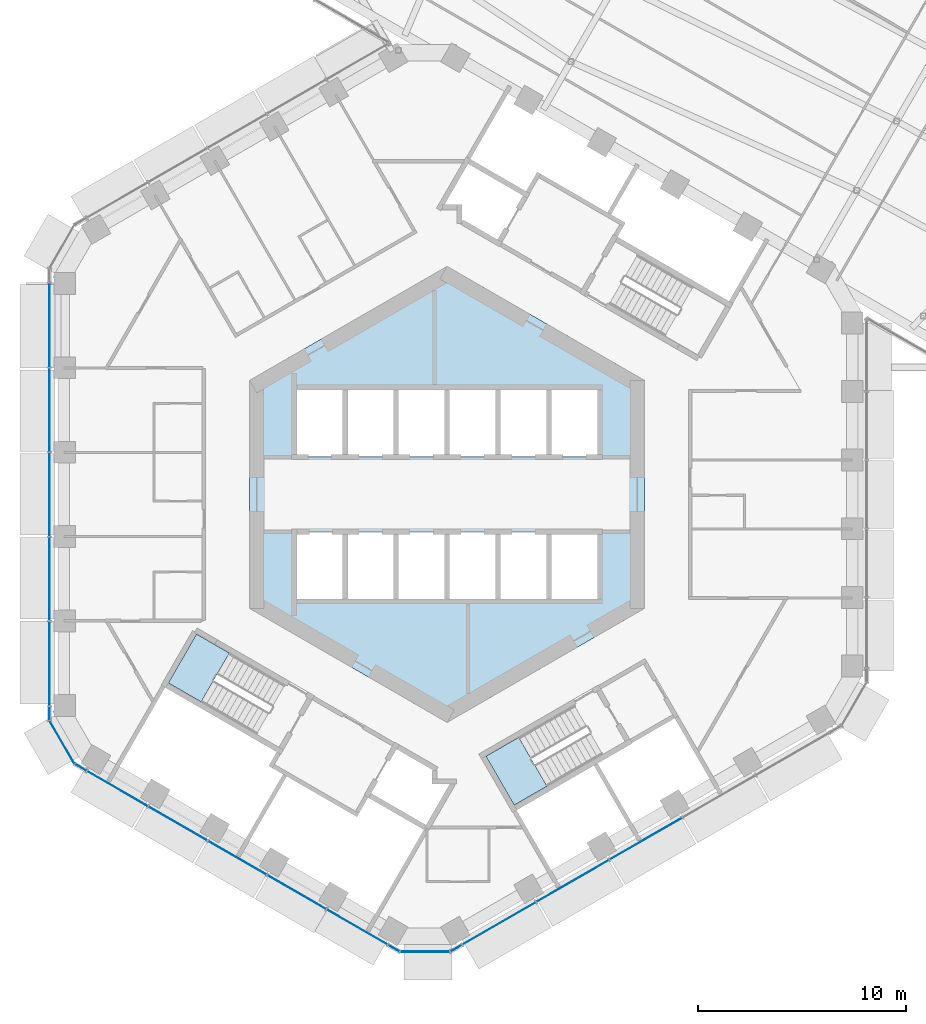
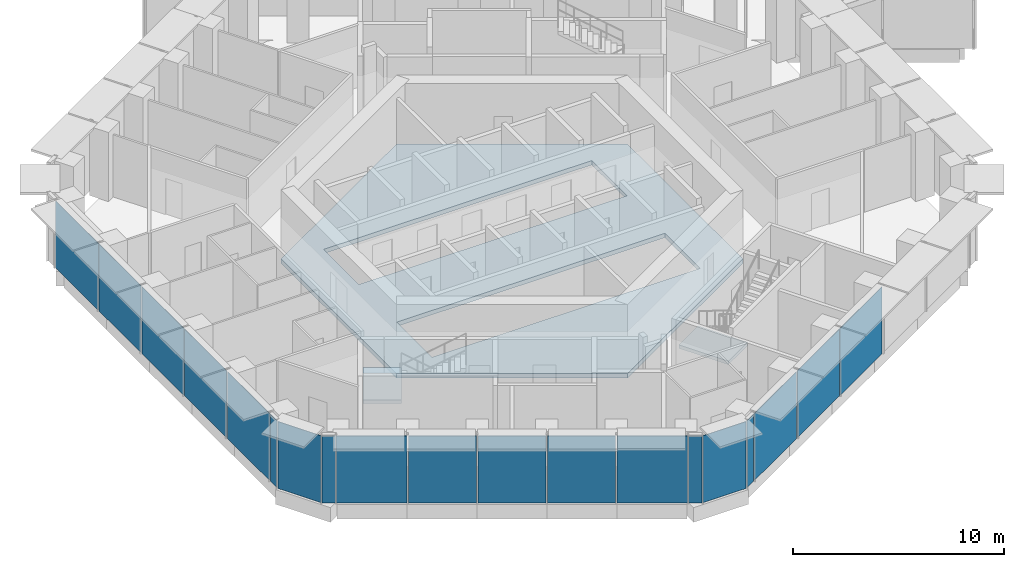
# One storey, part 12 of 28: 19 plates, 3 slabs, 7 elements without a shape of their own.
"""IFC4 building model written with IfcOpenShell, lengths in metres."""

from ifc_helpers import new_model, si_unit, direction, frame, origin, origin_2d, place, context, subcontext, project, spatial, polyline, rectangle, outline, extrude, material, layer, layer_set, type_object, element, aggregate, save


model = new_model("IFC4")

# Units and contexts
model_context = context("Model", 3, precision=1e-05, world=origin(), true_north=direction((0.0, 1.0)))
body_context = subcontext(model_context, "Body", "Model", "MODEL_VIEW")
ifc_project = project(units=[si_unit("LENGTHUNIT", "METRE"), si_unit("AREAUNIT", "SQUARE_METRE"), si_unit("VOLUMEUNIT", "CUBIC_METRE"), si_unit("PLANEANGLEUNIT", "RADIAN"), si_unit("MASSUNIT", "GRAM", prefix="KILO")], contexts=[model_context])

# Site, building, storey
site_placement = place(None, origin())
site = spatial("IfcSite", under=ifc_project, at=site_placement, CompositionType="ELEMENT")
building_placement = place(site_placement, origin())
building = spatial("IfcBuilding", under=site, at=building_placement, Name="Ayvan Gate Tower", CompositionType="ELEMENT")
storey_placement = place(building_placement, frame((0.0, 0.0, 143.89990234375)))
storey = spatial("IfcBuildingStorey", under=building, at=storey_placement, Name="L38", CompositionType="ELEMENT", Elevation=143.89990234375)

# Slab
ifc_material_1 = material(Name="Concrete C40/50", Category="concrete")
ifc_layer_1 = layer(ifc_material_1, 0.25)
ifc_layer_set_1 = layer_set([ifc_layer_1], Name="Concrete C40/50")
slab_type_1 = type_object("IfcSlabType", Name="SL-CORE-250", PredefinedType="FLOOR", material=ifc_layer_set_1)
slab_1_placement = place(storey_placement, frame((0.0, 0.0, -0.25)))
element("IfcSlab", 1, at=slab_1_placement, inside=storey, type_object=slab_type_1, Name="CS-L38", PredefinedType="FLOOR", context=body_context, shape_type="SweptSolid", body=[
    extrude(outline(polyline([(9.5, -5.48486328125), (0.0, -10.9697265625), (-9.5, -5.48486328125), (-9.5, 5.48486328125), (0.0, 10.9697265625), (9.5, 5.48486328125), (9.5, -5.48486328125)]), holes=[polyline([(-7.35009765625, -1.800048828125), (-7.35009765625, -5.14990234375), (7.35009765625, -5.14990234375), (7.35009765625, -1.800048828125), (-7.35009765625, -1.800048828125)]), polyline([(-7.35009765625, 5.14990234375), (-7.35009765625, 1.800048828125), (7.35009765625, 1.800048828125), (7.35009765625, 5.14990234375), (-7.35009765625, 5.14990234375)])]), origin(), (0.0, 0.0, 1.0), 0.25),
])

# Stair, slab
stair_type = type_object("IfcStairType", Name="ST-EXIT", PredefinedType="HALF_TURN_STAIR", material=ifc_material_1)
stair_1_placement = place(storey_placement, origin())
stair_1 = element("IfcStair", 2, at=stair_1_placement, inside=storey, type_object=stair_type, Name="L38 Exit Stair S2", PredefinedType="HALF_TURN_STAIR")
ifc_layer_2 = layer(ifc_material_1, 0.199951171875)
ifc_layer_set_2 = layer_set([ifc_layer_2], Name="Concrete C40/50")
slab_type_2 = type_object("IfcSlabType", Name="SL-LANDING-200", PredefinedType="LANDING", material=ifc_layer_set_2)
slab_2_placement = place(storey_placement, frame((0.0, 0.0, 1.800048828125)))
slab_2 = element("IfcSlab", 3, at=slab_2_placement, type_object=slab_type_2, Name="STS2 landing 1", PredefinedType="LANDING", context=body_context, shape_type="SweptSolid", body=[
    extrude(outline(polyline([(-10.473388671875, -7.630615234375), (-12.049560546875, -6.720458984375), (-13.404541015625, -9.0673828125), (-11.828369140625, -9.9775390625), (-10.473388671875, -7.630615234375)])), origin(), (0.0, 0.0, 1.0), 0.199951171875),
])
aggregate(stair_1, [slab_2])

stair_2_placement = place(storey_placement, origin())
stair_2 = element("IfcStair", 4, at=stair_2_placement, inside=storey, type_object=stair_type, Name="L38 Exit Stair S3", PredefinedType="HALF_TURN_STAIR")
slab_3_placement = place(storey_placement, frame((0.0, 0.0, 1.800048828125)))
slab_3 = element("IfcSlab", 5, at=slab_3_placement, type_object=slab_type_2, Name="STS3 landing 1", PredefinedType="LANDING", context=body_context, shape_type="SweptSolid", body=[
    extrude(outline(polyline([(3.449951171875, -11.685546875), (1.873779296875, -12.595458984375), (3.228759765625, -14.9423828125), (4.804931640625, -14.032470703125), (3.449951171875, -11.685546875)])), origin(), (0.0, 0.0, 1.0), 0.199951171875),
])
aggregate(stair_2, [slab_3])

# Curtain wall, plates
ifc_material_2 = material(Name="Bronze anodised aluminium", Category="aluminium")
ifc_layer_3 = layer(ifc_material_2, 0.199951171875)
ifc_layer_set_3 = layer_set([ifc_layer_3], Name="Bronze anodised aluminium")
curtain_wall_type_1 = type_object("IfcCurtainWallType", Name="Stick curtain wall CW-1", PredefinedType="NOTDEFINED", material=ifc_layer_set_3)
curtain_wall_1_placement = place(storey_placement, origin())
curtain_wall_1 = element("IfcCurtainWall", 6, at=curtain_wall_1_placement, inside=storey, type_object=curtain_wall_type_1, Name="Stick curtain wall CW-1 L38", PredefinedType="NOTDEFINED")
ifc_material_3 = material(Name="Clear low-iron laminated glass", Category="glass")
ifc_layer_4 = layer(ifc_material_3, 0.028076171875)
ifc_layer_set_4 = layer_set([ifc_layer_4], Name="Clear low-iron laminated glass")
plate_type_1 = type_object("IfcPlateType", Name="Stick curtain wall CW-1 glass panel", PredefinedType="CURTAIN_PANEL", material=ifc_layer_set_4)
plate_1_placement = place(storey_placement, frame((-19.124267578125, 8.15673828125, 0.000244140625), z_axis=(0.0, 0.0, 1.0), x_axis=(0.0, -1.0, 0.0)))
plate_1 = element("IfcPlate", 7, at=plate_1_placement, type_object=plate_type_1, Name="CW-1 glass panel 1", PredefinedType="CURTAIN_PANEL", context=body_context, shape_type="SweptSolid", body=[
    extrude(rectangle(XDim=4.072021484375, YDim=0.028076171875, at=origin_2d()), origin(), (0.0, 0.0, 1.0), 3.8798828125),
])
plate_2_placement = place(storey_placement, frame((-19.124267578125, 4.060302734375, 0.000244140625), z_axis=(0.0, 0.0, 1.0), x_axis=(0.0, -1.0, 0.0)))
plate_2 = element("IfcPlate", 8, at=plate_2_placement, type_object=plate_type_1, Name="CW-1 glass panel 2", PredefinedType="CURTAIN_PANEL", context=body_context, shape_type="SweptSolid", body=[
    extrude(rectangle(XDim=4.0009765625, YDim=0.028076171875, at=origin_2d()), origin(), (0.0, 0.0, 1.0), 3.8798828125),
])
plate_3_placement = place(storey_placement, frame((-19.124267578125, -0.000244140625, 0.000244140625), z_axis=(0.0, 0.0, 1.0), x_axis=(0.0, -1.0, 0.0)))
plate_3 = element("IfcPlate", 9, at=plate_3_placement, type_object=plate_type_1, Name="CW-1 glass panel 3", PredefinedType="CURTAIN_PANEL", context=body_context, shape_type="SweptSolid", body=[
    extrude(rectangle(XDim=4.0, YDim=0.028076171875, at=origin_2d()), origin(), (0.0, 0.0, 1.0), 3.8798828125),
])
plate_4_placement = place(storey_placement, frame((-19.124267578125, -4.06005859375, 0.000244140625), z_axis=(0.0, 0.0, 1.0), x_axis=(0.0, -1.0, 0.0)))
plate_4 = element("IfcPlate", 10, at=plate_4_placement, type_object=plate_type_1, Name="CW-1 glass panel 4", PredefinedType="CURTAIN_PANEL", context=body_context, shape_type="SweptSolid", body=[
    extrude(rectangle(XDim=4.0, YDim=0.028076171875, at=origin_2d()), origin(), (0.0, 0.0, 1.0), 3.8798828125),
])
plate_5_placement = place(storey_placement, frame((-19.124267578125, -8.156494140625, 0.000244140625), z_axis=(0.0, 0.0, 1.0), x_axis=(0.0, -1.0, 0.0)))
plate_5 = element("IfcPlate", 11, at=plate_5_placement, type_object=plate_type_1, Name="CW-1 glass panel 5", PredefinedType="CURTAIN_PANEL", context=body_context, shape_type="SweptSolid", body=[
    extrude(rectangle(XDim=4.07275390625, YDim=0.028076171875, at=origin_2d()), origin(), (0.0, 0.0, 1.0), 3.8798828125),
])
aggregate(curtain_wall_1, [plate_1, plate_2, plate_3, plate_4, plate_5])

curtain_wall_2_placement = place(storey_placement, origin())
curtain_wall_2 = element("IfcCurtainWall", 12, at=curtain_wall_2_placement, inside=storey, type_object=curtain_wall_type_1, Name="Stick curtain wall CW-1 L38", PredefinedType="NOTDEFINED")
plate_6_placement = place(storey_placement, frame((-15.86767578125, -14.147216796875, 0.000244140625), z_axis=(0.0, 0.0, 1.0), x_axis=(0.866025403784, -0.5, 0.0)))
plate_6 = element("IfcPlate", 13, at=plate_6_placement, type_object=plate_type_1, Name="CW-1 glass panel 1", PredefinedType="CURTAIN_PANEL", context=body_context, shape_type="SweptSolid", body=[
    extrude(rectangle(XDim=3.373046875, YDim=0.028076171875, at=origin_2d()), origin(), (0.0, 0.0, 1.0), 3.8798828125),
])
plate_7_placement = place(storey_placement, frame((-12.95166015625, -15.83056640625, 0.000244140625), z_axis=(0.0, 0.0, 1.0), x_axis=(0.866025403784, -0.5, 0.0)))
plate_7 = element("IfcPlate", 14, at=plate_7_placement, type_object=plate_type_1, Name="CW-1 glass panel 2", PredefinedType="CURTAIN_PANEL", context=body_context, shape_type="SweptSolid", body=[
    extrude(rectangle(XDim=3.240966796875, YDim=0.028076171875, at=origin_2d()), origin(), (0.0, 0.0, 1.0), 3.8798828125),
])
plate_8_placement = place(storey_placement, frame((-10.093017578125, -17.481201171875, 0.000244140625), z_axis=(0.0, 0.0, 1.0), x_axis=(0.866025403784, -0.5, 0.0)))
plate_8 = element("IfcPlate", 15, at=plate_8_placement, type_object=plate_type_1, Name="CW-1 glass panel 3", PredefinedType="CURTAIN_PANEL", context=body_context, shape_type="SweptSolid", body=[
    extrude(rectangle(XDim=3.240966796875, YDim=0.028076171875, at=origin_2d()), origin(), (0.0, 0.0, 1.0), 3.8798828125),
])
plate_9_placement = place(storey_placement, frame((-7.234130859375, -19.131591796875, 0.000244140625), z_axis=(0.0, 0.0, 1.0), x_axis=(0.866025403784, -0.5, 0.0)))
plate_9 = element("IfcPlate", 16, at=plate_9_placement, type_object=plate_type_1, Name="CW-1 glass panel 4", PredefinedType="CURTAIN_PANEL", context=body_context, shape_type="SweptSolid", body=[
    extrude(rectangle(XDim=3.240966796875, YDim=0.028076171875, at=origin_2d()), origin(), (0.0, 0.0, 1.0), 3.8798828125),
])
plate_10_placement = place(storey_placement, frame((-4.318115234375, -20.815185546875, 0.000244140625), z_axis=(0.0, 0.0, 1.0), x_axis=(0.866025403784, -0.5, 0.0)))
plate_10 = element("IfcPlate", 17, at=plate_10_placement, type_object=plate_type_1, Name="CW-1 glass panel 5", PredefinedType="CURTAIN_PANEL", context=body_context, shape_type="SweptSolid", body=[
    extrude(rectangle(XDim=3.373291015625, YDim=0.028076171875, at=origin_2d()), origin(), (0.0, 0.0, 1.0), 3.8798828125),
])
aggregate(curtain_wall_2, [plate_6, plate_7, plate_8, plate_9, plate_10])

curtain_wall_3_placement = place(storey_placement, origin())
curtain_wall_3 = element("IfcCurtainWall", 18, at=curtain_wall_3_placement, inside=storey, type_object=curtain_wall_type_1, Name="Stick curtain wall CW-1 L38", PredefinedType="NOTDEFINED")
plate_11_placement = place(storey_placement, frame((2.498046875, -20.640625, 0.000244140625), z_axis=(0.0, 0.0, 1.0), x_axis=(0.866025403784, 0.5, 0.0)))
plate_11 = element("IfcPlate", 19, at=plate_11_placement, type_object=plate_type_1, Name="CW-1 glass panel 1", PredefinedType="CURTAIN_PANEL", context=body_context, shape_type="SweptSolid", body=[
    extrude(rectangle(XDim=4.072021484375, YDim=0.028076171875, at=origin_2d()), origin(), (0.0, 0.0, 1.0), 3.8798828125),
])
plate_12_placement = place(storey_placement, frame((6.0458984375, -18.59228515625, 0.000244140625), z_axis=(0.0, 0.0, 1.0), x_axis=(0.866025403784, 0.5, 0.0)))
plate_12 = element("IfcPlate", 20, at=plate_12_placement, type_object=plate_type_1, Name="CW-1 glass panel 2", PredefinedType="CURTAIN_PANEL", context=body_context, shape_type="SweptSolid", body=[
    extrude(rectangle(XDim=4.0009765625, YDim=0.028076171875, at=origin_2d()), origin(), (0.0, 0.0, 1.0), 3.8798828125),
])
plate_13_placement = place(storey_placement, frame((9.562255859375, -16.56201171875, 0.000244140625), z_axis=(0.0, 0.0, 1.0), x_axis=(0.866025403784, 0.5, 0.0)))
plate_13 = element("IfcPlate", 21, at=plate_13_placement, type_object=plate_type_1, Name="CW-1 glass panel 3", PredefinedType="CURTAIN_PANEL", context=body_context, shape_type="SweptSolid", body=[
    extrude(rectangle(XDim=4.0, YDim=0.028076171875, at=origin_2d()), origin(), (0.0, 0.0, 1.0), 3.8798828125),
])
aggregate(curtain_wall_3, [plate_11, plate_12, plate_13])

ifc_layer_5 = layer(ifc_material_2, 0.199951171875)
ifc_layer_set_5 = layer_set([ifc_layer_5], Name="Bronze anodised aluminium")
curtain_wall_type_2 = type_object("IfcCurtainWallType", Name="Stick curtain wall CW-6", PredefinedType="NOTDEFINED", material=ifc_layer_set_5)
curtain_wall_4_placement = place(storey_placement, origin())
curtain_wall_4 = element("IfcCurtainWall", 22, at=curtain_wall_4_placement, inside=storey, type_object=curtain_wall_type_2, Name="Stick curtain wall CW-6 L38", PredefinedType="NOTDEFINED")
ifc_layer_6 = layer(ifc_material_3, 0.028076171875)
ifc_layer_set_6 = layer_set([ifc_layer_6], Name="Clear low-iron laminated glass")
plate_type_2 = type_object("IfcPlateType", Name="Stick curtain wall CW-6 glass panel", PredefinedType="CURTAIN_PANEL", material=ifc_layer_set_6)
plate_14_placement = place(storey_placement, frame((-19.124267578125, -10.535400390625, 0.000244140625), z_axis=(0.0, 0.0, 1.0), x_axis=(0.0, -1.0, 0.0)))
plate_14 = element("IfcPlate", 23, at=plate_14_placement, type_object=plate_type_2, Name="CW-6 glass panel 1", PredefinedType="CURTAIN_PANEL", context=body_context, shape_type="SweptSolid", body=[
    extrude(rectangle(XDim=0.625, YDim=0.028076171875, at=origin_2d()), origin(), (0.0, 0.0, 1.0), 3.8798828125),
])
plate_15_placement = place(storey_placement, frame((-18.520751953125, -11.91845703125, 0.000244140625), z_axis=(0.0, 0.0, 1.0), x_axis=(0.5, -0.866025403784, 0.0)))
plate_15 = element("IfcPlate", 24, at=plate_15_placement, type_object=plate_type_2, Name="CW-6 glass panel 2", PredefinedType="CURTAIN_PANEL", context=body_context, shape_type="SweptSolid", body=[
    extrude(rectangle(XDim=2.364501953125, YDim=0.028076171875, at=origin_2d()), origin(), (0.0, 0.0, 1.0), 3.8798828125),
])
plate_16_placement = place(storey_placement, frame((-17.624755859375, -13.132568359375, 0.000244140625), z_axis=(0.0, 0.0, 1.0), x_axis=(0.866025403784, -0.5, 0.0)))
plate_16 = element("IfcPlate", 25, at=plate_16_placement, type_object=plate_type_2, Name="CW-6 glass panel 3", PredefinedType="CURTAIN_PANEL", context=body_context, shape_type="SweptSolid", body=[
    extrude(rectangle(XDim=0.625, YDim=0.028076171875, at=origin_2d()), origin(), (0.0, 0.0, 1.0), 3.8798828125),
])
aggregate(curtain_wall_4, [plate_14, plate_15, plate_16])

curtain_wall_5_placement = place(storey_placement, origin())
curtain_wall_5 = element("IfcCurtainWall", 26, at=curtain_wall_5_placement, inside=storey, type_object=curtain_wall_type_2, Name="Stick curtain wall CW-6 L38", PredefinedType="NOTDEFINED")
plate_17_placement = place(storey_placement, frame((-2.560791015625, -21.829833984375, 0.000244140625), z_axis=(0.0, 0.0, 1.0), x_axis=(0.866025403784, -0.5, 0.0)))
plate_17 = element("IfcPlate", 27, at=plate_17_placement, type_object=plate_type_2, Name="CW-6 glass panel 1", PredefinedType="CURTAIN_PANEL", context=body_context, shape_type="SweptSolid", body=[
    extrude(rectangle(XDim=0.625, YDim=0.028076171875, at=origin_2d()), origin(), (0.0, 0.0, 1.0), 3.8798828125),
])
plate_18_placement = place(storey_placement, frame((-1.061279296875, -21.99853515625, 0.000244140625), z_axis=(0.0, 0.0, 1.0), x_axis=(1.0, 0.0, 0.0)))
plate_18 = element("IfcPlate", 28, at=plate_18_placement, type_object=plate_type_2, Name="CW-6 glass panel 2", PredefinedType="CURTAIN_PANEL", context=body_context, shape_type="SweptSolid", body=[
    extrude(rectangle(XDim=2.364501953125, YDim=0.028076171875, at=origin_2d()), origin(), (0.0, 0.0, 1.0), 3.8798828125),
])
plate_19_placement = place(storey_placement, frame((0.438232421875, -21.829833984375, 0.000244140625), z_axis=(0.0, 0.0, 1.0), x_axis=(0.866025403784, 0.5, 0.0)))
plate_19 = element("IfcPlate", 29, at=plate_19_placement, type_object=plate_type_2, Name="CW-6 glass panel 3", PredefinedType="CURTAIN_PANEL", context=body_context, shape_type="SweptSolid", body=[
    extrude(rectangle(XDim=0.625, YDim=0.028076171875, at=origin_2d()), origin(), (0.0, 0.0, 1.0), 3.8798828125),
])
aggregate(curtain_wall_5, [plate_17, plate_18, plate_19])

save(model, "model.ifc")
